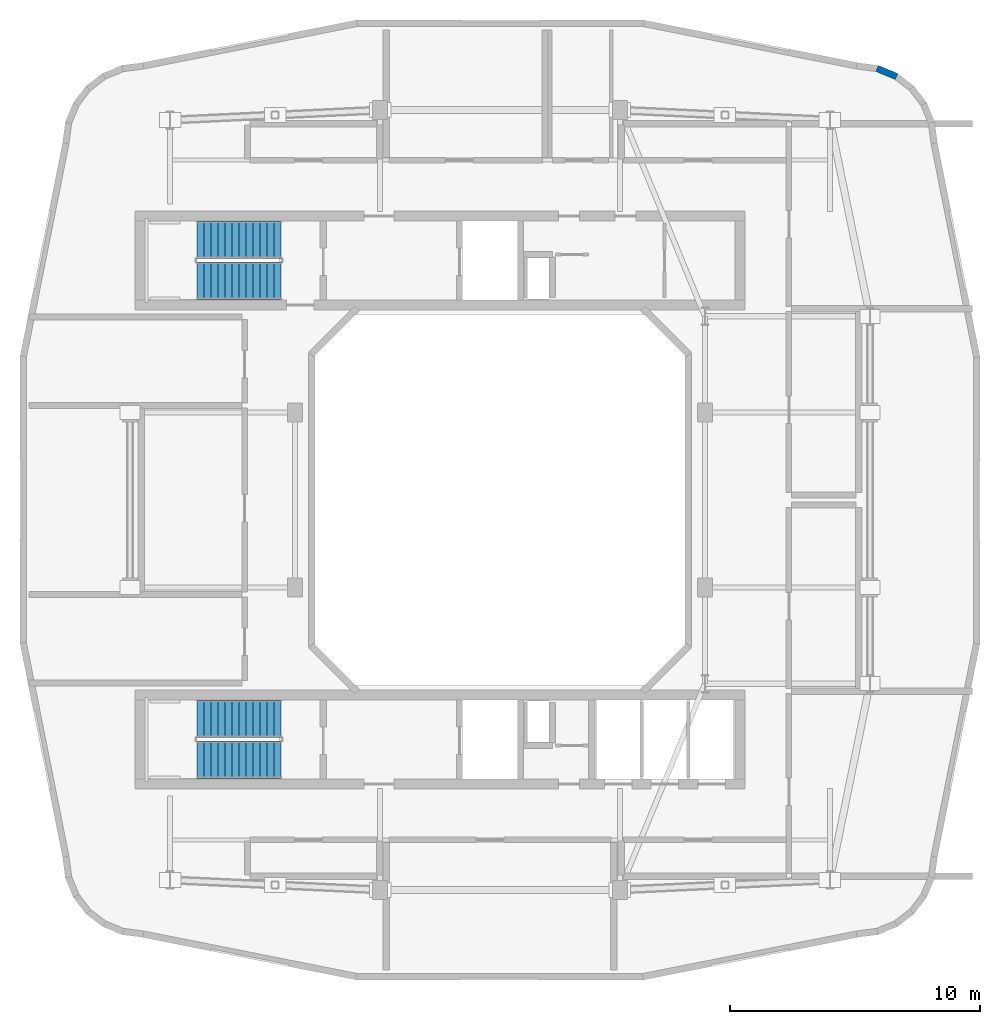
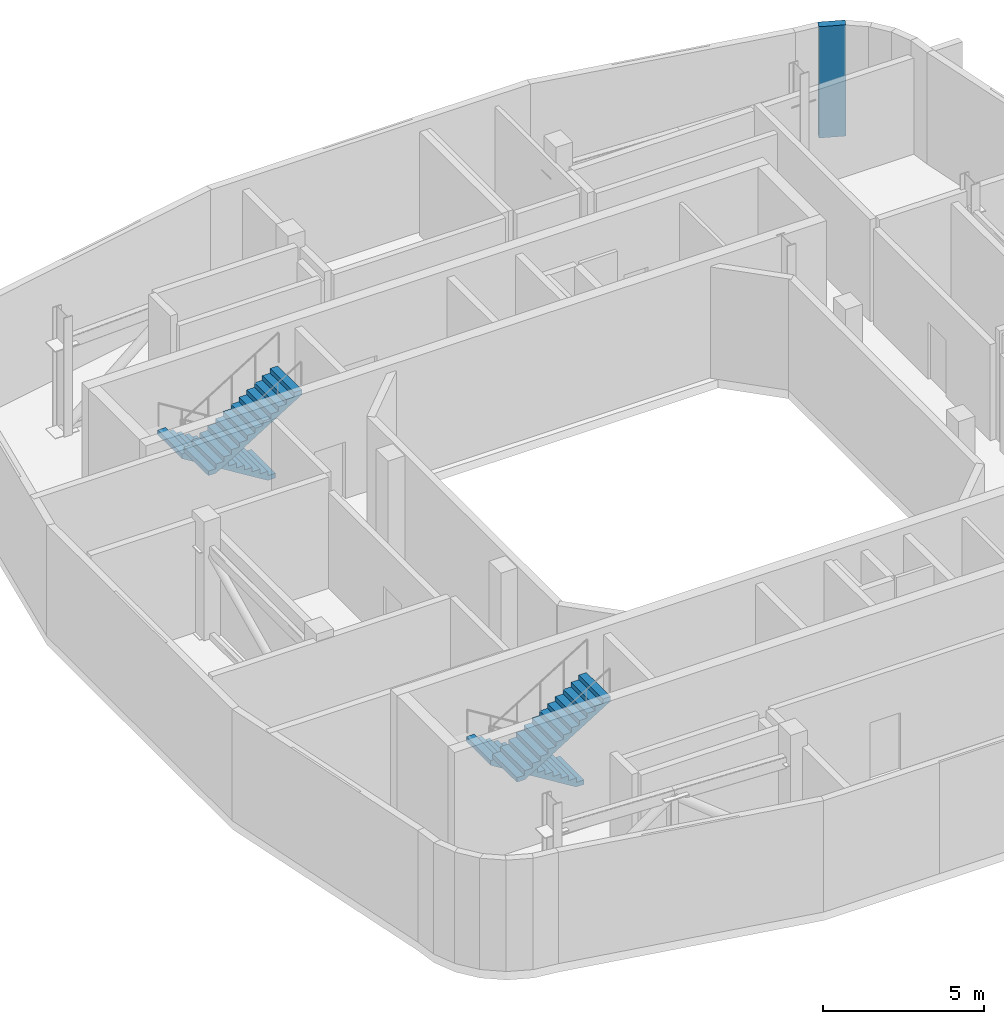
# One storey, part 6 of 9: 4 stair flights, 1 wall, 2 elements without a shape of their own.
"""IFC4 building model written with IfcOpenShell, lengths in metres."""

from ifc_helpers import new_model, si_unit, derived_unit, direction, frame, frame_2d, origin, place, context, subcontext, project, spatial, polyline, rectangle, outline, extrude, material, layer, layer_set, type_object, element, aggregate, save


model = new_model("IFC4")

# Units and contexts
model_context = context("Model", 3, precision=1e-05, world=origin(), true_north=direction((0.0, 1.0)))
body_context = subcontext(model_context, "Body", "Model", "MODEL_VIEW")
ifc_project = project(units=[si_unit("LENGTHUNIT", "METRE"), si_unit("AREAUNIT", "SQUARE_METRE"), si_unit("VOLUMEUNIT", "CUBIC_METRE"), si_unit("PLANEANGLEUNIT", "RADIAN"), si_unit("MASSUNIT", "GRAM", prefix="KILO"), derived_unit("THERMALTRANSMITTANCEUNIT", [(si_unit("POWERUNIT", "WATT"), 1), (si_unit("LENGTHUNIT", "METRE"), -2), (si_unit("THERMODYNAMICTEMPERATUREUNIT", "KELVIN"), -1)])], contexts=[model_context])

# Site, building, storey
site_placement = place(None, origin())
site = spatial("IfcSite", under=ifc_project, at=site_placement, CompositionType="ELEMENT")
building_placement = place(site_placement, origin())
building = spatial("IfcBuilding", under=site, at=building_placement, Name="Kivonza Crest Hotel", CompositionType="ELEMENT")
storey_placement = place(building_placement, frame((0.0, 0.0, 238.699951171875)))
storey = spatial("IfcBuildingStorey", under=building, at=storey_placement, Name="L65", CompositionType="ELEMENT", Elevation=238.699951171875)

# Wall
ifc_material_1 = material(Name="Precast concrete C40/50", Category="concrete")
ifc_layer = layer(ifc_material_1, 0.260009765625)
ifc_layer_set = layer_set([ifc_layer], Name="Precast concrete C40/50")
wall_type = type_object("IfcWallType", Name="WL-EXT-260", PredefinedType="STANDARD", material=ifc_layer_set)
wall_placement = place(storey_placement, frame((36.873046875, 41.94091796875, 0.0), z_axis=(0.0, 0.0, 1.0), x_axis=(-0.923652976167, 0.383229930484, 0.0)))
element("IfcWall", 1, at=wall_placement, inside=storey, type_object=wall_type, Name="L65 T1 exterior insulated wall 23", PredefinedType="STANDARD", context=body_context, shape_type="SweptSolid", body=[
    extrude(rectangle(XDim=0.85107421875, YDim=0.260009765625, at=frame_2d((0.425537109375, 0.0))), origin(), (0.0, 0.0, 1.0), 4.219970703125),
])

# Stair, stair flights
ifc_material_2 = material(Name="Concrete C40/50", Category="concrete")
stair_type = type_object("IfcStairType", Name="ST-DL-26R", PredefinedType="HALF_TURN_STAIR", material=ifc_material_2)
stair_1_placement = place(storey_placement, origin())
stair_1 = element("IfcStair", 2, at=stair_1_placement, inside=storey, type_object=stair_type, Name="L65 Protected Exit Stair ST-T1-N", PredefinedType="HALF_TURN_STAIR")
stair_flight_type = type_object("IfcStairFlightType", Name="SFL-RC-13R", PredefinedType="STRAIGHT", material=ifc_material_2)
stair_flight_1_placement = place(storey_placement, frame((12.239990234375, 35.409912109375, 0.0), z_axis=(0.0, 0.0, 1.0), x_axis=(-1.0, 0.0, 0.0)))
stair_flight_1 = element("IfcStairFlight", 3, at=stair_flight_1_placement, type_object=stair_flight_type, Name="ST-T1-N flight 1", NumberOfRisers=13, NumberOfTreads=12, PredefinedType="STRAIGHT", RiserHeight=0.173076923, TreadLength=0.28, context=body_context, shape_type="SweptSolid", body=[
    extrude(outline(polyline([(0.0, 0.0), (0.0, 0.173095703125), (0.280029296875, 0.173095703125), (0.280029296875, 0.34619140625), (0.56005859375, 0.34619140625), (0.56005859375, 0.519287109375), (0.840087890625, 0.519287109375), (0.840087890625, 0.6923828125), (1.1201171875, 0.6923828125), (1.1201171875, 0.865478515625), (1.39990234375, 0.865478515625), (1.39990234375, 1.03857421875), (1.679931640625, 1.03857421875), (1.679931640625, 1.21142578125), (1.9599609375, 1.21142578125), (1.9599609375, 1.384521484375), (2.239990234375, 1.384521484375), (2.239990234375, 1.5576171875), (2.52001953125, 1.5576171875), (2.52001953125, 1.730712890625), (2.800048828125, 1.730712890625), (2.800048828125, 1.90380859375), (3.080078125, 1.90380859375), (3.080078125, 2.076904296875), (3.360107421875, 2.076904296875), (3.360107421875, 2.25), (3.360107421875, 1.900634765625), (0.28515625, 0.0), (0.0, 0.0)])), frame((0.0, 0.75, 0.0), z_axis=(0.0, -1.0, 0.0), x_axis=(1.0, 0.0, 0.0)), (0.0, 0.0, 1.0), 1.5),
])
stair_flight_2_placement = place(storey_placement, frame((8.8798828125, 33.77001953125, 2.25), z_axis=(0.0, 0.0, 1.0), x_axis=(1.0, 0.0, 0.0)))
stair_flight_2 = element("IfcStairFlight", 4, at=stair_flight_2_placement, type_object=stair_flight_type, Name="ST-T1-N flight 2", NumberOfRisers=13, NumberOfTreads=12, PredefinedType="STRAIGHT", RiserHeight=0.173076923, TreadLength=0.28, context=body_context, shape_type="SweptSolid", body=[
    extrude(outline(polyline([(0.0, 0.0), (0.0, 0.173095703125), (0.280029296875, 0.173095703125), (0.280029296875, 0.34619140625), (0.56005859375, 0.34619140625), (0.56005859375, 0.519287109375), (0.840087890625, 0.519287109375), (0.840087890625, 0.6923828125), (1.1201171875, 0.6923828125), (1.1201171875, 0.865478515625), (1.39990234375, 0.865478515625), (1.39990234375, 1.03857421875), (1.679931640625, 1.03857421875), (1.679931640625, 1.21142578125), (1.9599609375, 1.21142578125), (1.9599609375, 1.384521484375), (2.239990234375, 1.384521484375), (2.239990234375, 1.5576171875), (2.52001953125, 1.5576171875), (2.52001953125, 1.730712890625), (2.800048828125, 1.730712890625), (2.800048828125, 1.90380859375), (3.080078125, 1.90380859375), (3.080078125, 2.076904296875), (3.360107421875, 2.076904296875), (3.360107421875, 2.25), (3.360107421875, 1.900634765625), (0.28515625, 0.0), (0.0, 0.0)])), frame((0.0, 0.75, 0.0), z_axis=(0.0, -1.0, 0.0), x_axis=(1.0, 0.0, 0.0)), (0.0, 0.0, 1.0), 1.5),
])
aggregate(stair_1, [stair_flight_1, stair_flight_2])

stair_2_placement = place(storey_placement, origin())
stair_2 = element("IfcStair", 5, at=stair_2_placement, inside=storey, type_object=stair_type, Name="L65 Protected Exit Stair ST-T1-S", PredefinedType="HALF_TURN_STAIR")
stair_flight_3_placement = place(storey_placement, frame((12.239990234375, 16.25, 0.0), z_axis=(0.0, 0.0, 1.0), x_axis=(-1.0, 0.0, 0.0)))
stair_flight_3 = element("IfcStairFlight", 6, at=stair_flight_3_placement, type_object=stair_flight_type, Name="ST-T1-S flight 1", NumberOfRisers=13, NumberOfTreads=12, PredefinedType="STRAIGHT", RiserHeight=0.173076923, TreadLength=0.28, context=body_context, shape_type="SweptSolid", body=[
    extrude(outline(polyline([(0.0, 0.0), (0.0, 0.173095703125), (0.280029296875, 0.173095703125), (0.280029296875, 0.34619140625), (0.56005859375, 0.34619140625), (0.56005859375, 0.519287109375), (0.840087890625, 0.519287109375), (0.840087890625, 0.6923828125), (1.1201171875, 0.6923828125), (1.1201171875, 0.865478515625), (1.39990234375, 0.865478515625), (1.39990234375, 1.03857421875), (1.679931640625, 1.03857421875), (1.679931640625, 1.21142578125), (1.9599609375, 1.21142578125), (1.9599609375, 1.384521484375), (2.239990234375, 1.384521484375), (2.239990234375, 1.5576171875), (2.52001953125, 1.5576171875), (2.52001953125, 1.730712890625), (2.800048828125, 1.730712890625), (2.800048828125, 1.90380859375), (3.080078125, 1.90380859375), (3.080078125, 2.076904296875), (3.360107421875, 2.076904296875), (3.360107421875, 2.25), (3.360107421875, 1.900634765625), (0.28515625, 0.0), (0.0, 0.0)])), frame((0.0, 0.75, 0.0), z_axis=(0.0, -1.0, 0.0), x_axis=(1.0, 0.0, 0.0)), (0.0, 0.0, 1.0), 1.5),
])
stair_flight_4_placement = place(storey_placement, frame((8.8798828125, 14.610107421875, 2.25), z_axis=(0.0, 0.0, 1.0), x_axis=(1.0, 0.0, 0.0)))
stair_flight_4 = element("IfcStairFlight", 7, at=stair_flight_4_placement, type_object=stair_flight_type, Name="ST-T1-S flight 2", NumberOfRisers=13, NumberOfTreads=12, PredefinedType="STRAIGHT", RiserHeight=0.173076923, TreadLength=0.28, context=body_context, shape_type="SweptSolid", body=[
    extrude(outline(polyline([(0.0, 0.0), (0.0, 0.173095703125), (0.280029296875, 0.173095703125), (0.280029296875, 0.34619140625), (0.56005859375, 0.34619140625), (0.56005859375, 0.519287109375), (0.840087890625, 0.519287109375), (0.840087890625, 0.6923828125), (1.1201171875, 0.6923828125), (1.1201171875, 0.865478515625), (1.39990234375, 0.865478515625), (1.39990234375, 1.03857421875), (1.679931640625, 1.03857421875), (1.679931640625, 1.21142578125), (1.9599609375, 1.21142578125), (1.9599609375, 1.384521484375), (2.239990234375, 1.384521484375), (2.239990234375, 1.5576171875), (2.52001953125, 1.5576171875), (2.52001953125, 1.730712890625), (2.800048828125, 1.730712890625), (2.800048828125, 1.90380859375), (3.080078125, 1.90380859375), (3.080078125, 2.076904296875), (3.360107421875, 2.076904296875), (3.360107421875, 2.25), (3.360107421875, 1.900634765625), (0.28515625, 0.0), (0.0, 0.0)])), frame((0.0, 0.75, 0.0), z_axis=(0.0, -1.0, 0.0), x_axis=(1.0, 0.0, 0.0)), (0.0, 0.0, 1.0), 1.5),
])
aggregate(stair_2, [stair_flight_3, stair_flight_4])

save(model, "model.ifc")
